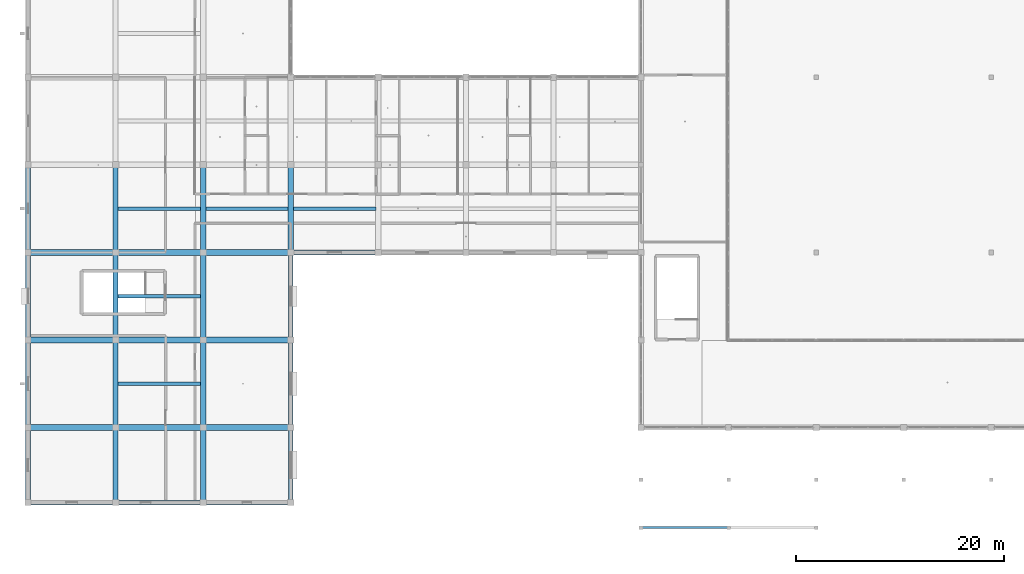
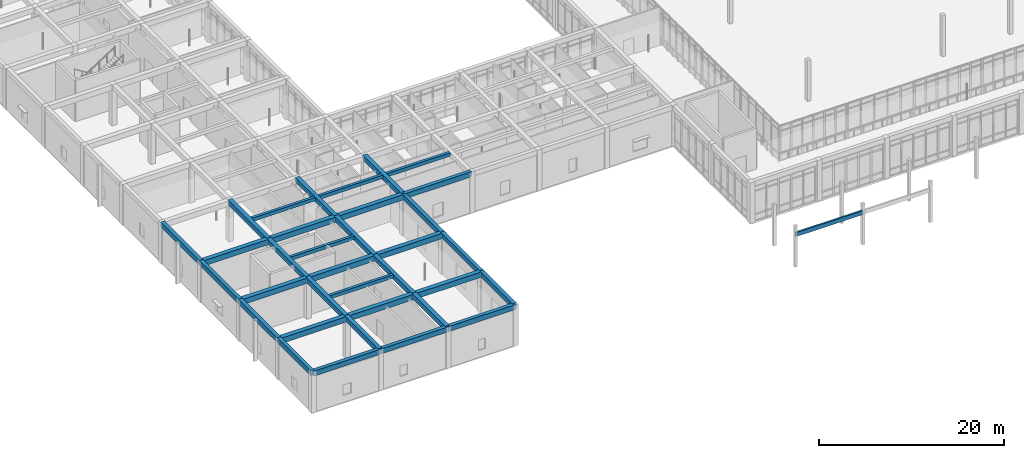
# One storey, part 7 of 157: 35 beams.
"""IFC4 building model written with IfcOpenShell, lengths in metres."""

from ifc_helpers import new_model, si_unit, direction, frame, origin, origin_2d, place, context, subcontext, project, spatial, rectangle, extrude, material, material_profile, profile_set, type_object, element, save


model = new_model("IFC4")

# Units and contexts
model_context = context("Model", 3, precision=1e-05, world=origin(), true_north=direction((0.0, 1.0)))
body_context = subcontext(model_context, "Body", "Model", "MODEL_VIEW")
ifc_project = project(units=[si_unit("LENGTHUNIT", "METRE"), si_unit("AREAUNIT", "SQUARE_METRE"), si_unit("VOLUMEUNIT", "CUBIC_METRE"), si_unit("PLANEANGLEUNIT", "RADIAN"), si_unit("MASSUNIT", "GRAM", prefix="KILO")], contexts=[model_context])

# Site, building, storey
site_placement = place(None, origin())
site = spatial("IfcSite", under=ifc_project, at=site_placement, CompositionType="ELEMENT")
building_placement = place(site_placement, origin())
building = spatial("IfcBuilding", under=site, at=building_placement, Name="Varncliffe General Hospital", CompositionType="ELEMENT")
storey_placement = place(building_placement, frame((0.0, 0.0, 5.39990234375)))
storey = spatial("IfcBuildingStorey", under=building, at=storey_placement, Name="L01", CompositionType="ELEMENT", Elevation=5.39990234375)

# Beams
ifc_material_1 = material(Name="Concrete C35/45 (CSA A23.1 35 MPa)", Category="concrete")
ifc_material_profile_1 = material_profile(ifc_material_1, rectangle(XDim=0.5, YDim=0.64990234375, at=origin_2d()), Name="RC 500x650")
ifc_profile_set_1 = profile_set([ifc_material_profile_1], Name="Concrete C35/45 (CSA A23.1 35 MPa)")
beam_type_1 = type_object("IfcBeamType", Name="Beam B29 (Int RC 500x650)", PredefinedType="BEAM", material=ifc_profile_set_1)
beam_1_placement = place(storey_placement, frame((8.39990234375, 0.0, 5.0751953125), z_axis=(0.0, 1.0, 0.0), x_axis=(-1.0, 0.0, 0.0)))
element("IfcBeam", 1, at=beam_1_placement, inside=storey, type_object=beam_type_1, Name="L01 Primary Beam B29-276", PredefinedType="BEAM", context=body_context, shape_type="SweptSolid", body=[
    extrude(rectangle(XDim=0.5, YDim=0.64990234375, at=origin_2d()), origin(), (0.0, 0.0, 1.0), 7.199951171875),
])
beam_2_placement = place(storey_placement, frame((8.39990234375, 7.199951171875, 5.0751953125), z_axis=(0.0, 1.0, 0.0), x_axis=(-1.0, 0.0, 0.0)))
element("IfcBeam", 2, at=beam_2_placement, inside=storey, type_object=beam_type_1, Name="L01 Primary Beam B29-277", PredefinedType="BEAM", context=body_context, shape_type="SweptSolid", body=[
    extrude(rectangle(XDim=0.5, YDim=0.64990234375, at=origin_2d()), origin(), (0.0, 0.0, 1.0), 8.400146484375),
])
for number, where, z_axis, x_axis, name in (
    (3, (8.39990234375, 15.60009765625, 5.0751953125), (0.0, 1.0, 0.0), (-1.0, 0.0, 0.0), "L01 Primary Beam B29-278"),
    (4, (8.39990234375, 24.0, 5.0751953125), (0.0, 1.0, 0.0), (-1.0, 0.0, 0.0), "L01 Primary Beam B29-279"),
):
    element("IfcBeam", number, at=place(storey_placement, frame(where, z_axis=z_axis, x_axis=x_axis)), inside=storey, type_object=beam_type_1, Name=name, PredefinedType="BEAM", context=body_context, shape_type="SweptSolid", body=[
        extrude(rectangle(XDim=0.5, YDim=0.64990234375, at=origin_2d()), origin(), (0.0, 0.0, 1.0), 8.39990234375),
    ])
beam_3_placement = place(storey_placement, frame((16.800048828125, 0.0, 5.0751953125), z_axis=(0.0, 1.0, 0.0), x_axis=(-1.0, 0.0, 0.0)))
element("IfcBeam", 5, at=beam_3_placement, inside=storey, type_object=beam_type_1, Name="L01 Primary Beam B29-292", PredefinedType="BEAM", context=body_context, shape_type="SweptSolid", body=[
    extrude(rectangle(XDim=0.5, YDim=0.64990234375, at=origin_2d()), origin(), (0.0, 0.0, 1.0), 7.199951171875),
])
beam_4_placement = place(storey_placement, frame((16.800048828125, 7.199951171875, 5.0751953125), z_axis=(0.0, 1.0, 0.0), x_axis=(-1.0, 0.0, 0.0)))
element("IfcBeam", 6, at=beam_4_placement, inside=storey, type_object=beam_type_1, Name="L01 Primary Beam B29-293", PredefinedType="BEAM", context=body_context, shape_type="SweptSolid", body=[
    extrude(rectangle(XDim=0.5, YDim=0.64990234375, at=origin_2d()), origin(), (0.0, 0.0, 1.0), 8.400146484375),
])
for number, where, z_axis, x_axis, name in (
    (7, (16.800048828125, 15.60009765625, 5.0751953125), (0.0, 1.0, 0.0), (-1.0, 0.0, 0.0), "L01 Primary Beam B29-294"),
    (8, (16.800048828125, 24.0, 5.0751953125), (0.0, 1.0, 0.0), (-1.0, 0.0, 0.0), "L01 Primary Beam B29-295"),
    (9, (25.199951171875, 24.0, 5.0751953125), (0.0, 1.0, 0.0), (-1.0, 0.0, 0.0), "L01 Primary Beam B29-312"),
):
    element("IfcBeam", number, at=place(storey_placement, frame(where, z_axis=z_axis, x_axis=x_axis)), inside=storey, type_object=beam_type_1, Name=name, PredefinedType="BEAM", context=body_context, shape_type="SweptSolid", body=[
        extrude(rectangle(XDim=0.5, YDim=0.64990234375, at=origin_2d()), origin(), (0.0, 0.0, 1.0), 8.39990234375),
    ])
ifc_material_profile_2 = material_profile(ifc_material_1, rectangle(XDim=0.550048828125, YDim=0.699951171875, at=origin_2d()), Name="RC 550x700")
ifc_profile_set_2 = profile_set([ifc_material_profile_2], Name="Concrete C35/45 (CSA A23.1 35 MPa)")
beam_type_2 = type_object("IfcBeamType", Name="Beam B35 (Int RC 550x700)", PredefinedType="BEAM", material=ifc_profile_set_2)
beam_5_placement = place(storey_placement, frame((0.0, 7.199951171875, 5.050048828125), z_axis=(1.0, 0.0, 0.0), x_axis=(0.0, 1.0, 0.0)))
element("IfcBeam", 10, at=beam_5_placement, inside=storey, type_object=beam_type_2, Name="L01 Primary Beam B35-7", PredefinedType="BEAM", context=body_context, shape_type="SweptSolid", body=[
    extrude(rectangle(XDim=0.550048828125, YDim=0.699951171875, at=origin_2d()), origin(), (0.0, 0.0, 1.0), 8.39990234375),
])
beam_6_placement = place(storey_placement, frame((8.39990234375, 7.199951171875, 5.050048828125), z_axis=(1.0, 0.0, 0.0), x_axis=(0.0, 1.0, 0.0)))
element("IfcBeam", 11, at=beam_6_placement, inside=storey, type_object=beam_type_2, Name="L01 Primary Beam B35-8", PredefinedType="BEAM", context=body_context, shape_type="SweptSolid", body=[
    extrude(rectangle(XDim=0.550048828125, YDim=0.699951171875, at=origin_2d()), origin(), (0.0, 0.0, 1.0), 8.400146484375),
])
for number, where, z_axis, x_axis, name in (
    (12, (16.800048828125, 7.199951171875, 5.050048828125), (1.0, 0.0, 0.0), (0.0, 1.0, 0.0), "L01 Primary Beam B35-9"),
    (13, (0.0, 15.60009765625, 5.050048828125), (1.0, 0.0, 0.0), (0.0, 1.0, 0.0), "L01 Primary Beam B35-20"),
):
    element("IfcBeam", number, at=place(storey_placement, frame(where, z_axis=z_axis, x_axis=x_axis)), inside=storey, type_object=beam_type_2, Name=name, PredefinedType="BEAM", context=body_context, shape_type="SweptSolid", body=[
        extrude(rectangle(XDim=0.550048828125, YDim=0.699951171875, at=origin_2d()), origin(), (0.0, 0.0, 1.0), 8.39990234375),
    ])
beam_7_placement = place(storey_placement, frame((8.39990234375, 15.60009765625, 5.050048828125), z_axis=(1.0, 0.0, 0.0), x_axis=(0.0, 1.0, 0.0)))
element("IfcBeam", 14, at=beam_7_placement, inside=storey, type_object=beam_type_2, Name="L01 Primary Beam B35-21", PredefinedType="BEAM", context=body_context, shape_type="SweptSolid", body=[
    extrude(rectangle(XDim=0.550048828125, YDim=0.699951171875, at=origin_2d()), origin(), (0.0, 0.0, 1.0), 8.400146484375),
])
for number, where, z_axis, x_axis, name in (
    (15, (16.800048828125, 15.60009765625, 5.050048828125), (1.0, 0.0, 0.0), (0.0, 1.0, 0.0), "L01 Primary Beam B35-22"),
    (16, (0.0, 24.0, 5.050048828125), (1.0, 0.0, 0.0), (0.0, 1.0, 0.0), "L01 Primary Beam B35-26"),
):
    element("IfcBeam", number, at=place(storey_placement, frame(where, z_axis=z_axis, x_axis=x_axis)), inside=storey, type_object=beam_type_2, Name=name, PredefinedType="BEAM", context=body_context, shape_type="SweptSolid", body=[
        extrude(rectangle(XDim=0.550048828125, YDim=0.699951171875, at=origin_2d()), origin(), (0.0, 0.0, 1.0), 8.39990234375),
    ])
beam_8_placement = place(storey_placement, frame((8.39990234375, 24.0, 5.050048828125), z_axis=(1.0, 0.0, 0.0), x_axis=(0.0, 1.0, 0.0)))
element("IfcBeam", 17, at=beam_8_placement, inside=storey, type_object=beam_type_2, Name="L01 Primary Beam B35-27", PredefinedType="BEAM", context=body_context, shape_type="SweptSolid", body=[
    extrude(rectangle(XDim=0.550048828125, YDim=0.699951171875, at=origin_2d()), origin(), (0.0, 0.0, 1.0), 8.400146484375),
])
beam_9_placement = place(storey_placement, frame((16.800048828125, 24.0, 5.050048828125), z_axis=(1.0, 0.0, 0.0), x_axis=(0.0, 1.0, 0.0)))
element("IfcBeam", 18, at=beam_9_placement, inside=storey, type_object=beam_type_2, Name="L01 Primary Beam B35-28", PredefinedType="BEAM", context=body_context, shape_type="SweptSolid", body=[
    extrude(rectangle(XDim=0.550048828125, YDim=0.699951171875, at=origin_2d()), origin(), (0.0, 0.0, 1.0), 8.39990234375),
])
ifc_material_2 = material(Name="Glulam GL28h (CSA O86 24f-EX, 30 MPa)", Category="wood")
ifc_material_profile_3 = material_profile(ifc_material_2, rectangle(XDim=0.215087890625, YDim=0.531982421875, at=origin_2d()), Name="GL 215x532")
ifc_profile_set_3 = profile_set([ifc_material_profile_3], Name="Glulam GL28h (CSA O86 24f-EX, 30 MPa)")
beam_type_3 = type_object("IfcBeamType", Name="Joist J54 (Ext GL 215x532)", PredefinedType="JOIST", material=ifc_profile_set_3)
beam_10_placement = place(storey_placement, frame((58.800048828125, -2.39990234375, 4.2001953125), z_axis=(1.0, 0.0, 0.0), x_axis=(0.0, 1.0, 0.0)))
element("IfcBeam", 19, at=beam_10_placement, inside=storey, type_object=beam_type_3, Name="L01 Outer Portico Tie Joist 1", PredefinedType="JOIST", context=body_context, shape_type="SweptSolid", body=[
    extrude(rectangle(XDim=0.215087890625, YDim=0.531982421875, at=origin_2d()), origin(), (0.0, 0.0, 1.0), 8.39990234375),
])
ifc_material_profile_4 = material_profile(ifc_material_1, rectangle(XDim=0.35009765625, YDim=0.449951171875, at=origin_2d()), Name="RC 350x450")
ifc_profile_set_4 = profile_set([ifc_material_profile_4], Name="Concrete C35/45 (CSA A23.1 35 MPa)")
beam_type_4 = type_object("IfcBeamType", Name="Joist J55 (Int RC 350x450)", PredefinedType="JOIST", material=ifc_profile_set_4)
for number, where, z_axis, x_axis, name in (
    (20, (8.64794921875, 11.39990234375, 5.175048828125), (1.0, 0.0, 0.0), (0.0, 1.0, 0.0), "L01 Secondary Floor Rib J55-1"),
    (21, (8.64794921875, 19.800048828125, 5.175048828125), (1.0, 0.0, 0.0), (0.0, 1.0, 0.0), "L01 Secondary Floor Rib J55-2"),
    (22, (8.64794921875, 28.199951171875, 5.175048828125), (1.0, 0.0, 0.0), (0.0, 1.0, 0.0), "L01 Secondary Floor Rib J55-3"),
):
    element("IfcBeam", number, at=place(storey_placement, frame(where, z_axis=z_axis, x_axis=x_axis)), inside=storey, type_object=beam_type_4, Name=name, PredefinedType="JOIST", context=body_context, shape_type="SweptSolid", body=[
        extrude(rectangle(XDim=0.35009765625, YDim=0.449951171875, at=origin_2d()), origin(), (0.0, 0.0, 1.0), 7.904052734375),
    ])
beam_11_placement = place(storey_placement, frame((17.048095703125, 28.199951171875, 5.175048828125), z_axis=(1.0, 0.0, 0.0), x_axis=(0.0, 1.0, 0.0)))
element("IfcBeam", 23, at=beam_11_placement, inside=storey, type_object=beam_type_4, Name="L01 Secondary Floor Rib J55-11", PredefinedType="JOIST", context=body_context, shape_type="SweptSolid", body=[
    extrude(rectangle(XDim=0.35009765625, YDim=0.449951171875, at=origin_2d()), origin(), (0.0, 0.0, 1.0), 7.90380859375),
])
beam_12_placement = place(storey_placement, frame((25.447998046875, 28.199951171875, 5.175048828125), z_axis=(1.0, 0.0, 0.0), x_axis=(0.0, 1.0, 0.0)))
element("IfcBeam", 24, at=beam_12_placement, inside=storey, type_object=beam_type_4, Name="L01 Secondary Floor Rib J55-15", PredefinedType="JOIST", context=body_context, shape_type="SweptSolid", body=[
    extrude(rectangle(XDim=0.35009765625, YDim=0.449951171875, at=origin_2d()), origin(), (0.0, 0.0, 1.0), 7.904052734375),
])
ifc_material_profile_5 = material_profile(ifc_material_1, rectangle(XDim=0.449951171875, YDim=0.64990234375, at=origin_2d()), Name="RC 450x650")
ifc_profile_set_5 = profile_set([ifc_material_profile_5], Name="Concrete C35/45 (CSA A23.1 35 MPa)")
beam_type_5 = type_object("IfcBeamType", Name="Spandrel SP38 (Ext RC 450x650B)", PredefinedType="SPANDREL", material=ifc_profile_set_5)
beam_13_placement = place(storey_placement, frame((0.0, 0.0, 5.0751953125), z_axis=(1.0, 0.0, 0.0), x_axis=(0.0, 1.0, 0.0)))
element("IfcBeam", 25, at=beam_13_placement, inside=storey, type_object=beam_type_5, Name="L01 Spandrel Beam SP38-1", PredefinedType="SPANDREL", context=body_context, shape_type="SweptSolid", body=[
    extrude(rectangle(XDim=0.449951171875, YDim=0.64990234375, at=origin_2d()), origin(), (0.0, 0.0, 1.0), 8.39990234375),
])
beam_14_placement = place(storey_placement, frame((8.39990234375, 0.0, 5.0751953125), z_axis=(1.0, 0.0, 0.0), x_axis=(0.0, 1.0, 0.0)))
element("IfcBeam", 26, at=beam_14_placement, inside=storey, type_object=beam_type_5, Name="L01 Spandrel Beam SP38-2", PredefinedType="SPANDREL", context=body_context, shape_type="SweptSolid", body=[
    extrude(rectangle(XDim=0.449951171875, YDim=0.64990234375, at=origin_2d()), origin(), (0.0, 0.0, 1.0), 8.400146484375),
])
beam_15_placement = place(storey_placement, frame((16.800048828125, 0.0, 5.0751953125), z_axis=(1.0, 0.0, 0.0), x_axis=(0.0, 1.0, 0.0)))
element("IfcBeam", 27, at=beam_15_placement, inside=storey, type_object=beam_type_5, Name="L01 Spandrel Beam SP38-3", PredefinedType="SPANDREL", context=body_context, shape_type="SweptSolid", body=[
    extrude(rectangle(XDim=0.449951171875, YDim=0.64990234375, at=origin_2d()), origin(), (0.0, 0.0, 1.0), 8.39990234375),
])
beam_16_placement = place(storey_placement, frame((25.199951171875, 24.0, 5.0751953125), z_axis=(1.0, 0.0, 0.0), x_axis=(0.0, 1.0, 0.0)))
element("IfcBeam", 28, at=beam_16_placement, inside=storey, type_object=beam_type_5, Name="L01 Spandrel Beam SP38-29", PredefinedType="SPANDREL", context=body_context, shape_type="SweptSolid", body=[
    extrude(rectangle(XDim=0.449951171875, YDim=0.64990234375, at=origin_2d()), origin(), (0.0, 0.0, 1.0), 8.400146484375),
])
beam_17_placement = place(storey_placement, frame((0.0, 0.0, 5.0751953125), z_axis=(0.0, 1.0, 0.0), x_axis=(-1.0, 0.0, 0.0)))
element("IfcBeam", 29, at=beam_17_placement, inside=storey, type_object=beam_type_5, Name="L01 Spandrel Beam SP38-259", PredefinedType="SPANDREL", context=body_context, shape_type="SweptSolid", body=[
    extrude(rectangle(XDim=0.449951171875, YDim=0.64990234375, at=origin_2d()), origin(), (0.0, 0.0, 1.0), 7.199951171875),
])
beam_18_placement = place(storey_placement, frame((0.0, 7.199951171875, 5.0751953125), z_axis=(0.0, 1.0, 0.0), x_axis=(-1.0, 0.0, 0.0)))
element("IfcBeam", 30, at=beam_18_placement, inside=storey, type_object=beam_type_5, Name="L01 Spandrel Beam SP38-260", PredefinedType="SPANDREL", context=body_context, shape_type="SweptSolid", body=[
    extrude(rectangle(XDim=0.449951171875, YDim=0.64990234375, at=origin_2d()), origin(), (0.0, 0.0, 1.0), 8.400146484375),
])
for number, where, z_axis, x_axis, name in (
    (31, (0.0, 15.60009765625, 5.0751953125), (0.0, 1.0, 0.0), (-1.0, 0.0, 0.0), "L01 Spandrel Beam SP38-261"),
    (32, (0.0, 24.0, 5.0751953125), (0.0, 1.0, 0.0), (-1.0, 0.0, 0.0), "L01 Spandrel Beam SP38-262"),
):
    element("IfcBeam", number, at=place(storey_placement, frame(where, z_axis=z_axis, x_axis=x_axis)), inside=storey, type_object=beam_type_5, Name=name, PredefinedType="SPANDREL", context=body_context, shape_type="SweptSolid", body=[
        extrude(rectangle(XDim=0.449951171875, YDim=0.64990234375, at=origin_2d()), origin(), (0.0, 0.0, 1.0), 8.39990234375),
    ])
beam_19_placement = place(storey_placement, frame((25.199951171875, 0.0, 5.0751953125), z_axis=(0.0, 1.0, 0.0), x_axis=(-1.0, 0.0, 0.0)))
element("IfcBeam", 33, at=beam_19_placement, inside=storey, type_object=beam_type_5, Name="L01 Spandrel Beam SP38-309", PredefinedType="SPANDREL", context=body_context, shape_type="SweptSolid", body=[
    extrude(rectangle(XDim=0.449951171875, YDim=0.64990234375, at=origin_2d()), origin(), (0.0, 0.0, 1.0), 7.199951171875),
])
beam_20_placement = place(storey_placement, frame((25.199951171875, 7.199951171875, 5.0751953125), z_axis=(0.0, 1.0, 0.0), x_axis=(-1.0, 0.0, 0.0)))
element("IfcBeam", 34, at=beam_20_placement, inside=storey, type_object=beam_type_5, Name="L01 Spandrel Beam SP38-310", PredefinedType="SPANDREL", context=body_context, shape_type="SweptSolid", body=[
    extrude(rectangle(XDim=0.449951171875, YDim=0.64990234375, at=origin_2d()), origin(), (0.0, 0.0, 1.0), 8.400146484375),
])
beam_21_placement = place(storey_placement, frame((25.199951171875, 15.60009765625, 5.0751953125), z_axis=(0.0, 1.0, 0.0), x_axis=(-1.0, 0.0, 0.0)))
element("IfcBeam", 35, at=beam_21_placement, inside=storey, type_object=beam_type_5, Name="L01 Spandrel Beam SP38-311", PredefinedType="SPANDREL", context=body_context, shape_type="SweptSolid", body=[
    extrude(rectangle(XDim=0.449951171875, YDim=0.64990234375, at=origin_2d()), origin(), (0.0, 0.0, 1.0), 8.39990234375),
])

save(model, "model.ifc")
